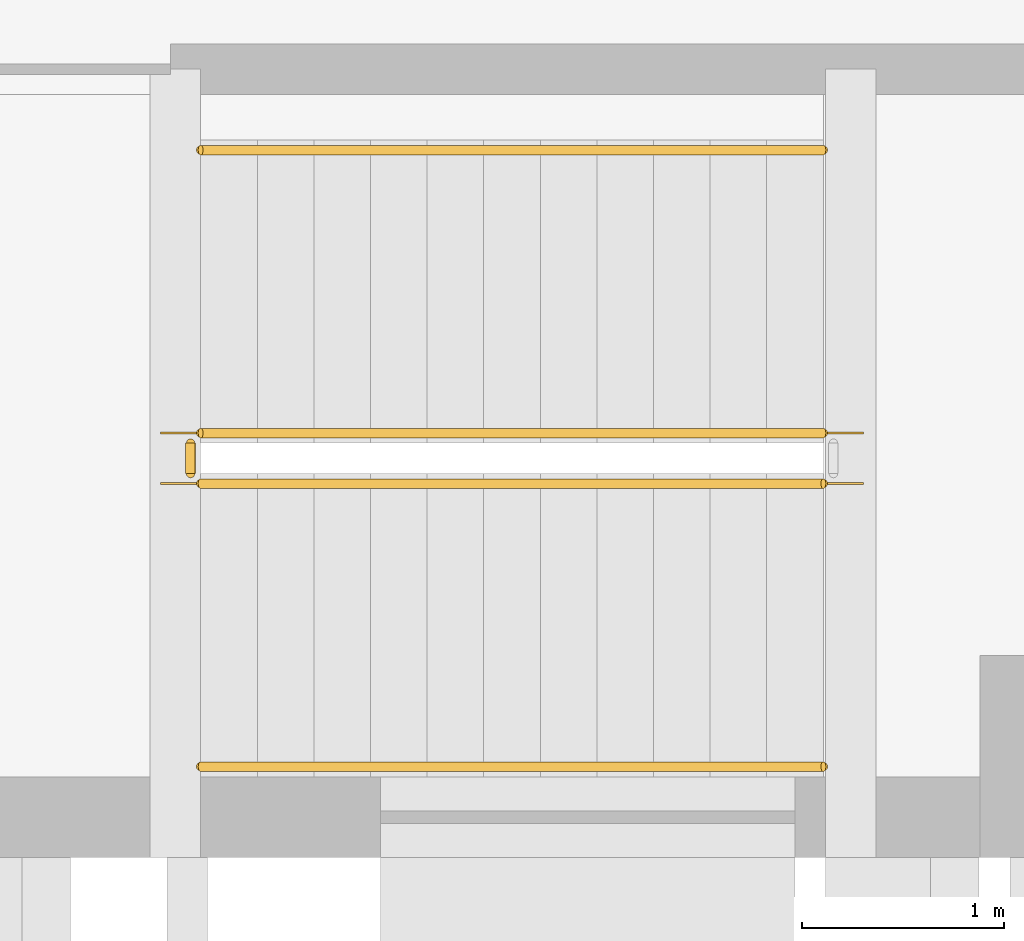
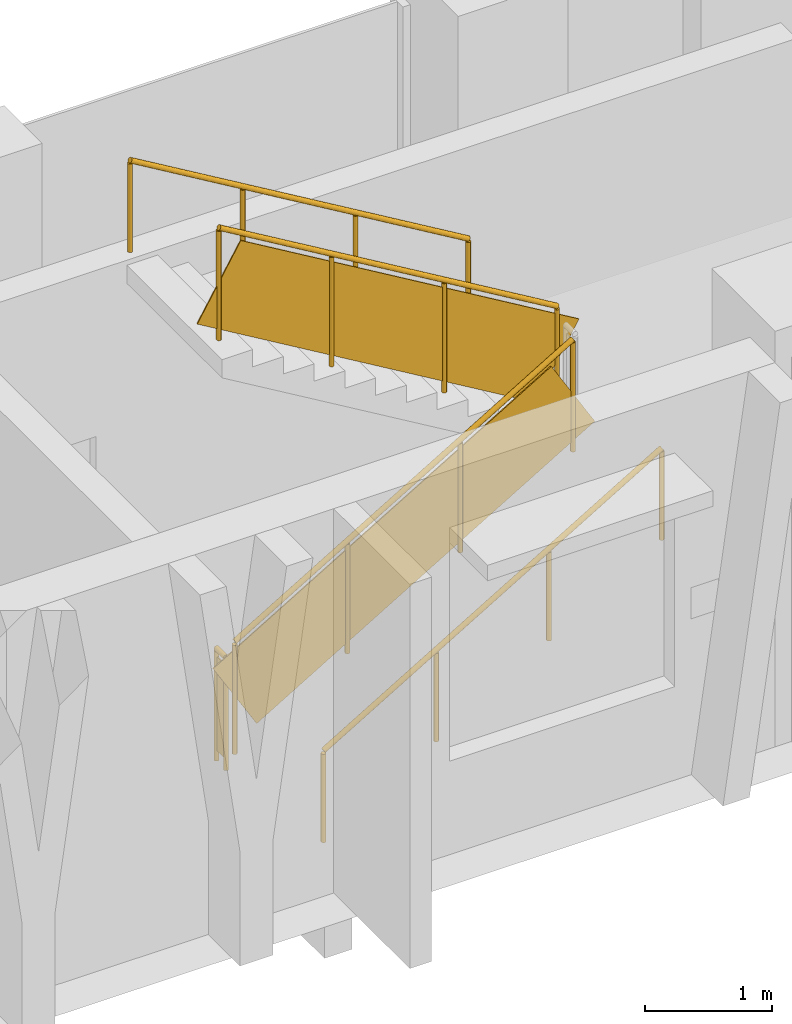
# One storey, part 19 of 26: 5 railings.
"""IFC4 building model written with IfcOpenShell, lengths in metres."""

from ifc_helpers import new_model, si_unit, direction, frame, origin, origin_2d, place, context, subcontext, project, spatial, rectangle, circle, extrude, material, type_object, element, save


model = new_model("IFC4")

# Units and contexts
model_context = context("Model", 3, precision=1e-05, world=origin(), true_north=direction((0.0, 1.0)))
body_context = subcontext(model_context, "Body", "Model", "MODEL_VIEW")
ifc_project = project(units=[si_unit("LENGTHUNIT", "METRE"), si_unit("AREAUNIT", "SQUARE_METRE"), si_unit("VOLUMEUNIT", "CUBIC_METRE"), si_unit("PLANEANGLEUNIT", "RADIAN"), si_unit("MASSUNIT", "GRAM", prefix="KILO")], contexts=[model_context])

# Site, building, storey
site_placement = place(None, origin())
site = spatial("IfcSite", under=ifc_project, at=site_placement, CompositionType="ELEMENT")
building_placement = place(site_placement, origin())
building = spatial("IfcBuilding", under=site, at=building_placement, Name="Vidyagriha Tower", CompositionType="ELEMENT")
storey_placement = place(building_placement, frame((0.0, 0.0, 6.0)))
storey = spatial("IfcBuildingStorey", under=building, at=storey_placement, Name="L01", CompositionType="ELEMENT", Elevation=6.0)

# Railings
ifc_material_1 = material(Name="Powder coated ASTM A500 Grade C steel balustrade", Category="steel")
railing_type_1 = type_object("IfcRailingType", Name="Podium Stair Guard 1100", PredefinedType="GUARDRAIL", material=ifc_material_1)
railing_1_placement = place(storey_placement, frame((-10.35498046875, -48.14990234375, 0.166748046875)))
element("IfcRailing", 1, at=railing_1_placement, inside=storey, type_object=railing_type_1, Name="L01 PS3 stair guard 1", PredefinedType="GUARDRAIL", context=body_context, shape_type="SweptSolid", body=[
    extrude(circle(Radius=0.02392578125, at=origin_2d()), frame((0.0, 0.0, 1.076171875), z_axis=(0.859308565015, 0.0, 0.511457515432), x_axis=(0.0, 1.0, 0.0)), (0.0, 0.0, 1.0), 3.58447265625),
    extrude(circle(Radius=0.02099609375, at=origin_2d()), origin(), (0.0, 0.0, 1.0), 1.052001953125),
    extrude(circle(Radius=0.02099609375, at=origin_2d()), frame((1.026611328125, 0.0, 0.611083984375)), (0.0, 0.0, 1.0), 1.052001953125),
    extrude(circle(Radius=0.02099609375, at=origin_2d()), frame((2.053466796875, 0.0, 1.22216796875)), (0.0, 0.0, 1.0), 1.052001953125),
    extrude(circle(Radius=0.02099609375, at=origin_2d()), frame((3.080078125, 0.0, 1.833251953125)), (0.0, 0.0, 1.0), 1.052001953125),
    extrude(rectangle(XDim=0.010009765625, YDim=0.775146484375, at=origin_2d()), frame((0.0, 0.0, 0.551025390625), z_axis=(0.859308565015, 0.0, 0.511457515432), x_axis=(0.0, 1.0, 0.0)), (0.0, 0.0, 1.0), 3.58447265625),
])
railing_2_placement = place(storey_placement, frame((-7.27490234375, -47.89990234375, 2.166748046875)))
element("IfcRailing", 2, at=railing_2_placement, inside=storey, type_object=railing_type_1, Name="L01 PS3 stair guard 3", PredefinedType="GUARDRAIL", context=body_context, shape_type="SweptSolid", body=[
    extrude(circle(Radius=0.02392578125, at=origin_2d()), frame((0.0, 0.0, 1.076171875), z_axis=(-0.859308565015, 0.0, 0.511457515432), x_axis=(0.0, -1.0, 0.0)), (0.0, 0.0, 1.0), 3.58447265625),
    extrude(circle(Radius=0.02099609375, at=origin_2d()), origin(), (0.0, 0.0, 1.0), 1.052001953125),
    extrude(circle(Radius=0.02099609375, at=origin_2d()), frame((-1.026611328125, 0.0, 0.611083984375)), (0.0, 0.0, 1.0), 1.052001953125),
    extrude(circle(Radius=0.02099609375, at=origin_2d()), frame((-2.053466796875, 0.0, 1.22216796875)), (0.0, 0.0, 1.0), 1.052001953125),
    extrude(circle(Radius=0.02099609375, at=origin_2d()), frame((-3.080078125, 0.0, 1.833251953125)), (0.0, 0.0, 1.0), 1.052001953125),
    extrude(rectangle(XDim=0.010009765625, YDim=0.775146484375, at=origin_2d()), frame((0.0, 0.0, 0.551025390625), z_axis=(-0.859308565015, 0.0, 0.511457515432), x_axis=(0.0, -1.0, 0.0)), (0.0, 0.0, 1.0), 3.58447265625),
])
railing_3_placement = place(storey_placement, frame((-10.405029296875, -48.10009765625, 0.0)))
element("IfcRailing", 3, at=railing_3_placement, inside=storey, type_object=railing_type_1, Name="L01 PS3 stair guard 4", PredefinedType="GUARDRAIL", context=body_context, shape_type="SweptSolid", body=[
    extrude(circle(Radius=0.02392578125, at=origin_2d()), frame((0.0, 0.0, 1.076171875), z_axis=(0.0, 1.0, 0.0), x_axis=(-1.0, 0.0, 0.0)), (0.0, 0.0, 1.0), 0.150146484375),
    extrude(circle(Radius=0.02099609375, at=origin_2d()), origin(), (0.0, 0.0, 1.0), 1.052001953125),
    extrude(circle(Radius=0.02099609375, at=origin_2d()), frame((0.0, 0.150146484375, 0.0)), (0.0, 0.0, 1.0), 1.052001953125),
    extrude(rectangle(XDim=0.010009765625, YDim=0.902099609375, at=origin_2d()), frame((0.0, 0.0, 0.551025390625), z_axis=(0.0, 1.0, 0.0), x_axis=(-1.0, 0.0, 0.0)), (0.0, 0.0, 1.0), 0.150146484375),
])
ifc_material_2 = material(Name="Powder coated ASTM A500 Grade C steel handrail", Category="steel")
railing_type_2 = type_object("IfcRailingType", Name="Podium Stair Handrail 900", PredefinedType="HANDRAIL", material=ifc_material_2)
railing_4_placement = place(storey_placement, frame((-10.35498046875, -49.550048828125, 0.166748046875)))
element("IfcRailing", 4, at=railing_4_placement, inside=storey, type_object=railing_type_2, Name="L01 PS3 stair handrail 1", PredefinedType="HANDRAIL", context=body_context, shape_type="SweptSolid", body=[
    extrude(circle(Radius=0.02392578125, at=origin_2d()), frame((0.0, 0.0, 0.8759765625), z_axis=(0.859308565015, 0.0, 0.511457515432), x_axis=(0.0, 1.0, 0.0)), (0.0, 0.0, 1.0), 3.58447265625),
    extrude(circle(Radius=0.02099609375, at=origin_2d()), origin(), (0.0, 0.0, 1.0), 0.851806640625),
    extrude(circle(Radius=0.02099609375, at=origin_2d()), frame((1.026611328125, 0.0, 0.611083984375)), (0.0, 0.0, 1.0), 0.851806640625),
    extrude(circle(Radius=0.02099609375, at=origin_2d()), frame((2.053466796875, 0.0, 1.22216796875)), (0.0, 0.0, 1.0), 0.851806640625),
    extrude(circle(Radius=0.02099609375, at=origin_2d()), frame((3.080078125, 0.0, 1.833251953125)), (0.0, 0.0, 1.0), 0.851806640625),
])
railing_5_placement = place(storey_placement, frame((-7.27490234375, -46.5, 2.166748046875)))
element("IfcRailing", 5, at=railing_5_placement, inside=storey, type_object=railing_type_2, Name="L01 PS3 stair handrail 2", PredefinedType="HANDRAIL", context=body_context, shape_type="SweptSolid", body=[
    extrude(circle(Radius=0.02392578125, at=origin_2d()), frame((0.0, 0.0, 0.8759765625), z_axis=(-0.859308565015, 0.0, 0.511457515432), x_axis=(0.0, -1.0, 0.0)), (0.0, 0.0, 1.0), 3.58447265625),
    extrude(circle(Radius=0.02099609375, at=origin_2d()), origin(), (0.0, 0.0, 1.0), 0.851806640625),
    extrude(circle(Radius=0.02099609375, at=origin_2d()), frame((-1.026611328125, 0.0, 0.611083984375)), (0.0, 0.0, 1.0), 0.851806640625),
    extrude(circle(Radius=0.02099609375, at=origin_2d()), frame((-2.053466796875, 0.0, 1.22216796875)), (0.0, 0.0, 1.0), 0.851806640625),
    extrude(circle(Radius=0.02099609375, at=origin_2d()), frame((-3.080078125, 0.0, 1.833251953125)), (0.0, 0.0, 1.0), 0.851806640625),
])

save(model, "model.ifc")
